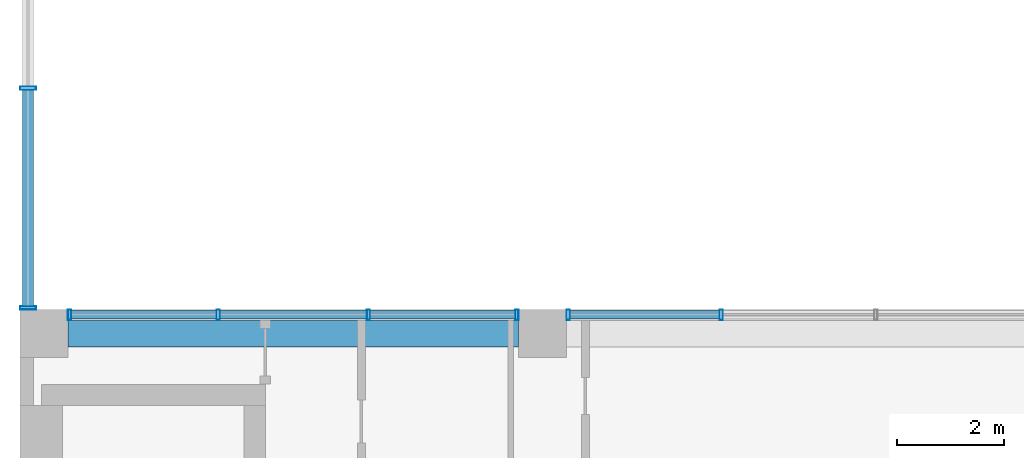
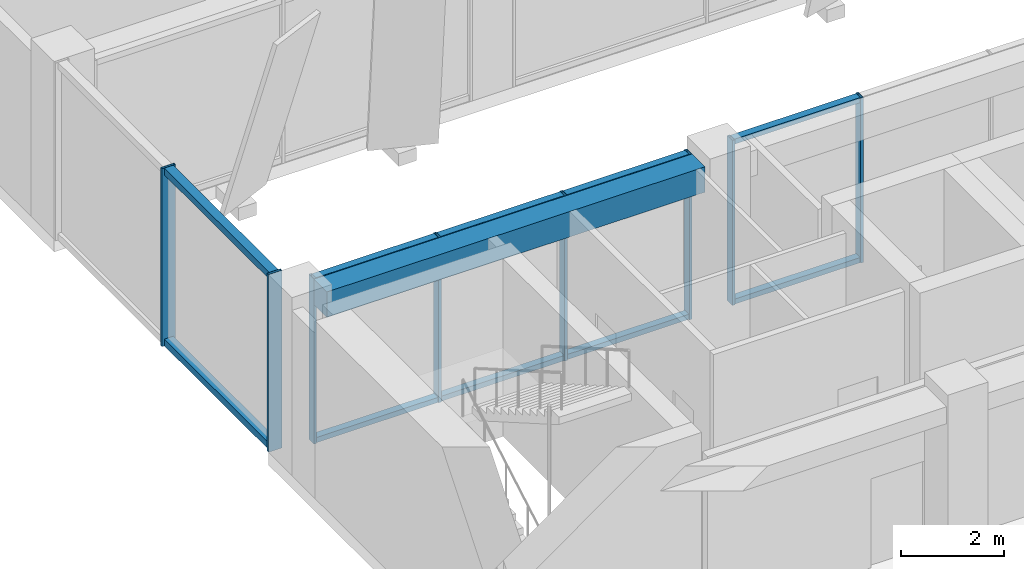
# One storey, part 6 of 36: 18 members, 1 beam, 3 elements without a shape of their own.
"""IFC4 building model written with IfcOpenShell, lengths in metres."""

from ifc_helpers import new_model, si_unit, direction, frame, origin, origin_2d, place, context, subcontext, project, spatial, rectangle, hollow_rectangle, extrude, material, layer, layer_set, material_profile, profile_set, type_object, element, aggregate, save


model = new_model("IFC4")

# Units and contexts
model_context = context("Model", 3, precision=1e-05, world=origin(), true_north=direction((0.0, 1.0)))
body_context = subcontext(model_context, "Body", "Model", "MODEL_VIEW")
ifc_project = project(units=[si_unit("LENGTHUNIT", "METRE"), si_unit("AREAUNIT", "SQUARE_METRE"), si_unit("VOLUMEUNIT", "CUBIC_METRE"), si_unit("PLANEANGLEUNIT", "RADIAN"), si_unit("MASSUNIT", "GRAM", prefix="KILO")], contexts=[model_context])

# Site, building, storey
site_placement = place(None, origin())
site = spatial("IfcSite", under=ifc_project, at=site_placement, CompositionType="ELEMENT")
building_placement = place(site_placement, origin())
building = spatial("IfcBuilding", under=site, at=building_placement, Name="Nzadi Deep Aquarium and Research Tower", CompositionType="ELEMENT")
storey_placement = place(building_placement, frame((0.0, 0.0, 40.300048828125)))
storey = spatial("IfcBuildingStorey", under=building, at=storey_placement, Name="L07", CompositionType="ELEMENT", Elevation=40.300048828125)

# Curtain wall, members
ifc_material_1 = material(Name="Aluminium unitised frame", Category="aluminium")
ifc_layer_1 = layer(ifc_material_1, 0.199951171875)
ifc_layer_set_1 = layer_set([ifc_layer_1], Name="Aluminium unitised frame")
curtain_wall_type_1 = type_object("IfcCurtainWallType", Name="Curtain wall Unitised 200", PredefinedType="NOTDEFINED", material=ifc_layer_set_1)
curtain_wall_1_placement = place(storey_placement, origin())
curtain_wall_1 = element("IfcCurtainWall", 1, at=curtain_wall_1_placement, inside=storey, type_object=curtain_wall_type_1, Name="Unitised curtain wall blade A north L07", PredefinedType="NOTDEFINED")
ifc_material_2 = material(Name="Aluminium unitised frame", Category="aluminium")
ifc_material_profile_1 = material_profile(ifc_material_2, hollow_rectangle(XDim=0.199951171875, YDim=0.06005859375, WallThickness=0.0048828125, at=origin_2d()))
ifc_profile_set_1 = profile_set([ifc_material_profile_1], Name="Aluminium unitised frame")
member_type_1 = type_object("IfcMemberType", Name="Mullion 60x200 Unitised", PredefinedType="MULLION", material=ifc_profile_set_1)
member_1_placement = place(storey_placement, frame((0.72998046875, 18.75, 0.0), z_axis=(0.0, 0.0, 1.0), x_axis=(0.0, 1.0, 0.0)))
member_1 = element("IfcMember", 2, at=member_1_placement, type_object=member_type_1, Name="CW016 mullion 1", PredefinedType="MULLION", context=body_context, shape_type="SweptSolid", body=[
    extrude(hollow_rectangle(XDim=0.199951171875, YDim=0.06005859375, WallThickness=0.0048828125, at=origin_2d()), origin(), (0.0, 0.0, 1.0), 3.89990234375),
])
member_2_placement = place(storey_placement, frame((3.5166015625, 18.75, 0.0), z_axis=(0.0, 0.0, 1.0), x_axis=(0.0, 1.0, 0.0)))
member_2 = element("IfcMember", 3, at=member_2_placement, type_object=member_type_1, Name="CW016 mullion 2", PredefinedType="MULLION", context=body_context, shape_type="SweptSolid", body=[
    extrude(hollow_rectangle(XDim=0.199951171875, YDim=0.06005859375, WallThickness=0.0048828125, at=origin_2d()), origin(), (0.0, 0.0, 1.0), 3.89990234375),
])
member_3_placement = place(storey_placement, frame((6.333251953125, 18.75, 0.0), z_axis=(0.0, 0.0, 1.0), x_axis=(0.0, 1.0, 0.0)))
member_3 = element("IfcMember", 4, at=member_3_placement, type_object=member_type_1, Name="CW016 mullion 3", PredefinedType="MULLION", context=body_context, shape_type="SweptSolid", body=[
    extrude(hollow_rectangle(XDim=0.199951171875, YDim=0.06005859375, WallThickness=0.0048828125, at=origin_2d()), origin(), (0.0, 0.0, 1.0), 3.89990234375),
])
member_4_placement = place(storey_placement, frame((9.1201171875, 18.75, 0.0), z_axis=(0.0, 0.0, 1.0), x_axis=(0.0, 1.0, 0.0)))
member_4 = element("IfcMember", 5, at=member_4_placement, type_object=member_type_1, Name="CW016 mullion 4", PredefinedType="MULLION", context=body_context, shape_type="SweptSolid", body=[
    extrude(hollow_rectangle(XDim=0.199951171875, YDim=0.06005859375, WallThickness=0.0048828125, at=origin_2d()), origin(), (0.0, 0.0, 1.0), 3.89990234375),
])

curtain_wall_2_placement = place(storey_placement, origin())
curtain_wall_2 = element("IfcCurtainWall", 6, at=curtain_wall_2_placement, inside=storey, type_object=curtain_wall_type_1, Name="Unitised curtain wall blade A north L07", PredefinedType="NOTDEFINED")
member_5_placement = place(storey_placement, frame((10.080078125, 18.75, 0.0), z_axis=(0.0, 0.0, 1.0), x_axis=(0.0, 1.0, 0.0)))
member_5 = element("IfcMember", 7, at=member_5_placement, type_object=member_type_1, Name="CW017 mullion 1", PredefinedType="MULLION", context=body_context, shape_type="SweptSolid", body=[
    extrude(hollow_rectangle(XDim=0.199951171875, YDim=0.06005859375, WallThickness=0.0048828125, at=origin_2d()), origin(), (0.0, 0.0, 1.0), 3.89990234375),
])
member_6_placement = place(storey_placement, frame((12.949951171875, 18.75, 0.0), z_axis=(0.0, 0.0, 1.0), x_axis=(0.0, 1.0, 0.0)))
member_6 = element("IfcMember", 8, at=member_6_placement, type_object=member_type_1, Name="CW017 mullion 2", PredefinedType="MULLION", context=body_context, shape_type="SweptSolid", body=[
    extrude(hollow_rectangle(XDim=0.199951171875, YDim=0.06005859375, WallThickness=0.0048828125, at=origin_2d()), origin(), (0.0, 0.0, 1.0), 3.89990234375),
])

ifc_material_3 = material(Name="Aluminium unitised frame wind post", Category="aluminium")
ifc_layer_2 = layer(ifc_material_3, 0.300048828125)
ifc_layer_set_2 = layer_set([ifc_layer_2], Name="Aluminium unitised frame wind post")
curtain_wall_type_2 = type_object("IfcCurtainWallType", Name="Curtain wall Slot End 300", PredefinedType="NOTDEFINED", material=ifc_layer_set_2)
curtain_wall_3_placement = place(storey_placement, origin())
curtain_wall_3 = element("IfcCurtainWall", 9, at=curtain_wall_3_placement, inside=storey, type_object=curtain_wall_type_2, Name="Glazed slot end west L07", PredefinedType="NOTDEFINED")
ifc_material_4 = material(Name="Aluminium unitised frame wind post", Category="aluminium")
ifc_material_profile_2 = material_profile(ifc_material_4, hollow_rectangle(XDim=0.300048828125, YDim=0.06005859375, WallThickness=0.0048828125, at=origin_2d()))
ifc_profile_set_2 = profile_set([ifc_material_profile_2], Name="Aluminium unitised frame wind post")
member_type_2 = type_object("IfcMemberType", Name="Mullion 60x300 Slot End", PredefinedType="MULLION", material=ifc_profile_set_2)
member_7_placement = place(storey_placement, frame((-0.049560546875, 18.8798828125, 0.0), z_axis=(0.0, 0.0, 1.0), x_axis=(-1.0, 0.0, 0.0)))
member_7 = element("IfcMember", 10, at=member_7_placement, type_object=member_type_2, Name="CW205 mullion 1", PredefinedType="MULLION", context=body_context, shape_type="SweptSolid", body=[
    extrude(hollow_rectangle(XDim=0.300048828125, YDim=0.06005859375, WallThickness=0.0048828125, at=origin_2d()), origin(), (0.0, 0.0, 1.0), 4.199951171875),
])
member_8_placement = place(storey_placement, frame((-0.049560546875, 23.0, 0.0), z_axis=(0.0, 0.0, 1.0), x_axis=(-1.0, 0.0, 0.0)))
member_8 = element("IfcMember", 11, at=member_8_placement, type_object=member_type_2, Name="CW205 mullion 2", PredefinedType="MULLION", context=body_context, shape_type="SweptSolid", body=[
    extrude(hollow_rectangle(XDim=0.300048828125, YDim=0.06005859375, WallThickness=0.0048828125, at=origin_2d()), origin(), (0.0, 0.0, 1.0), 4.199951171875),
])

# Beam
ifc_material_5 = material(Name="Concrete C35/45", Category="concrete")
ifc_material_profile_3 = material_profile(ifc_material_5, rectangle(XDim=0.5, YDim=0.60009765625, at=origin_2d()))
ifc_profile_set_3 = profile_set([ifc_material_profile_3], Name="Concrete C35/45")
beam_type = type_object("IfcBeamType", Name="RC 500x600", PredefinedType="BEAM", material=ifc_profile_set_3)
beam_placement = place(storey_placement, frame((0.699951171875, 18.39990234375, 3.599853515625), z_axis=(1.0, 0.0, 0.0), x_axis=(0.0, 1.0, 0.0)))
element("IfcBeam", 12, at=beam_placement, inside=storey, type_object=beam_type, Name="B-Z1-L07-L3-1", PredefinedType="BEAM", context=body_context, shape_type="SweptSolid", body=[
    extrude(rectangle(XDim=0.5, YDim=0.60009765625, at=origin_2d()), origin(), (0.0, 0.0, 1.0), 8.449951171875),
])

# Member
ifc_material_6 = material(Name="Aluminium unitised frame", Category="aluminium")
ifc_material_profile_4 = material_profile(ifc_material_6, hollow_rectangle(XDim=0.159912109375, YDim=0.1201171875, WallThickness=0.0048828125, at=origin_2d()))
ifc_profile_set_4 = profile_set([ifc_material_profile_4], Name="Aluminium unitised frame")
member_type_3 = type_object("IfcMemberType", Name="Transom 120x160 Unitised", PredefinedType="MULLION", material=ifc_profile_set_4)
member_9_placement = place(storey_placement, frame((0.760009765625, 18.75, 0.06005859375), z_axis=(1.0, 0.0, 0.0), x_axis=(0.0, 1.0, 0.0)))
member_9 = element("IfcMember", 13, at=member_9_placement, type_object=member_type_3, Name="CW016 transom 1.1", PredefinedType="MULLION", context=body_context, shape_type="SweptSolid", body=[
    extrude(hollow_rectangle(XDim=0.159912109375, YDim=0.1201171875, WallThickness=0.0048828125, at=origin_2d()), origin(), (0.0, 0.0, 1.0), 2.7265625),
])

member_10_placement = place(storey_placement, frame((0.760009765625, 18.75, 3.83984375), z_axis=(1.0, 0.0, 0.0), x_axis=(0.0, 1.0, 0.0)))
member_10 = element("IfcMember", 14, at=member_10_placement, type_object=member_type_3, Name="CW016 transom 1.2", PredefinedType="MULLION", context=body_context, shape_type="SweptSolid", body=[
    extrude(hollow_rectangle(XDim=0.159912109375, YDim=0.1201171875, WallThickness=0.0048828125, at=origin_2d()), origin(), (0.0, 0.0, 1.0), 2.7265625),
])

member_11_placement = place(storey_placement, frame((3.546630859375, 18.75, 0.06005859375), z_axis=(1.0, 0.0, 0.0), x_axis=(0.0, 1.0, 0.0)))
member_11 = element("IfcMember", 15, at=member_11_placement, type_object=member_type_3, Name="CW016 transom 2.1", PredefinedType="MULLION", context=body_context, shape_type="SweptSolid", body=[
    extrude(hollow_rectangle(XDim=0.159912109375, YDim=0.1201171875, WallThickness=0.0048828125, at=origin_2d()), origin(), (0.0, 0.0, 1.0), 2.756591796875),
])

member_12_placement = place(storey_placement, frame((3.546630859375, 18.75, 3.83984375), z_axis=(1.0, 0.0, 0.0), x_axis=(0.0, 1.0, 0.0)))
member_12 = element("IfcMember", 16, at=member_12_placement, type_object=member_type_3, Name="CW016 transom 2.2", PredefinedType="MULLION", context=body_context, shape_type="SweptSolid", body=[
    extrude(hollow_rectangle(XDim=0.159912109375, YDim=0.1201171875, WallThickness=0.0048828125, at=origin_2d()), origin(), (0.0, 0.0, 1.0), 2.756591796875),
])

member_13_placement = place(storey_placement, frame((6.36328125, 18.75, 0.06005859375), z_axis=(1.0, 0.0, 0.0), x_axis=(0.0, 1.0, 0.0)))
member_13 = element("IfcMember", 17, at=member_13_placement, type_object=member_type_3, Name="CW016 transom 3.1", PredefinedType="MULLION", context=body_context, shape_type="SweptSolid", body=[
    extrude(hollow_rectangle(XDim=0.159912109375, YDim=0.1201171875, WallThickness=0.0048828125, at=origin_2d()), origin(), (0.0, 0.0, 1.0), 2.726806640625),
])

member_14_placement = place(storey_placement, frame((6.36328125, 18.75, 3.83984375), z_axis=(1.0, 0.0, 0.0), x_axis=(0.0, 1.0, 0.0)))
member_14 = element("IfcMember", 18, at=member_14_placement, type_object=member_type_3, Name="CW016 transom 3.2", PredefinedType="MULLION", context=body_context, shape_type="SweptSolid", body=[
    extrude(hollow_rectangle(XDim=0.159912109375, YDim=0.1201171875, WallThickness=0.0048828125, at=origin_2d()), origin(), (0.0, 0.0, 1.0), 2.726806640625),
])

aggregate(curtain_wall_1, [member_1, member_2, member_3, member_4, member_9, member_10, member_11, member_12, member_13, member_14])

member_15_placement = place(storey_placement, frame((10.110107421875, 18.75, 0.06005859375), z_axis=(1.0, 0.0, 0.0), x_axis=(0.0, 1.0, 0.0)))
member_15 = element("IfcMember", 19, at=member_15_placement, type_object=member_type_3, Name="CW017 transom 1.1", PredefinedType="MULLION", context=body_context, shape_type="SweptSolid", body=[
    extrude(hollow_rectangle(XDim=0.159912109375, YDim=0.1201171875, WallThickness=0.0048828125, at=origin_2d()), origin(), (0.0, 0.0, 1.0), 2.809814453125),
])

member_16_placement = place(storey_placement, frame((10.110107421875, 18.75, 3.83984375), z_axis=(1.0, 0.0, 0.0), x_axis=(0.0, 1.0, 0.0)))
member_16 = element("IfcMember", 20, at=member_16_placement, type_object=member_type_3, Name="CW017 transom 1.2", PredefinedType="MULLION", context=body_context, shape_type="SweptSolid", body=[
    extrude(hollow_rectangle(XDim=0.159912109375, YDim=0.1201171875, WallThickness=0.0048828125, at=origin_2d()), origin(), (0.0, 0.0, 1.0), 2.809814453125),
])

aggregate(curtain_wall_2, [member_5, member_6, member_15, member_16])

ifc_material_7 = material(Name="Aluminium unitised frame wind post", Category="aluminium")
ifc_material_profile_5 = material_profile(ifc_material_7, hollow_rectangle(XDim=0.199951171875, YDim=0.159912109375, WallThickness=0.0048828125, at=origin_2d()))
ifc_profile_set_5 = profile_set([ifc_material_profile_5], Name="Aluminium unitised frame wind post")
member_type_4 = type_object("IfcMemberType", Name="Transom 160x200 Slot End", PredefinedType="MULLION", material=ifc_profile_set_5)
member_17_placement = place(storey_placement, frame((-0.050048828125, 18.909912109375, 0.079833984375), z_axis=(0.0, 1.0, 0.0), x_axis=(-1.0, 0.0, 0.0)))
member_17 = element("IfcMember", 21, at=member_17_placement, type_object=member_type_4, Name="CW205 transom 1.1", PredefinedType="MULLION", context=body_context, shape_type="SweptSolid", body=[
    extrude(hollow_rectangle(XDim=0.199951171875, YDim=0.159912109375, WallThickness=0.0048828125, at=origin_2d()), origin(), (0.0, 0.0, 1.0), 4.06005859375),
])

member_18_placement = place(storey_placement, frame((-0.050048828125, 18.909912109375, 4.119873046875), z_axis=(0.0, 1.0, 0.0), x_axis=(-1.0, 0.0, 0.0)))
member_18 = element("IfcMember", 22, at=member_18_placement, type_object=member_type_4, Name="CW205 transom 1.2", PredefinedType="MULLION", context=body_context, shape_type="SweptSolid", body=[
    extrude(hollow_rectangle(XDim=0.199951171875, YDim=0.159912109375, WallThickness=0.0048828125, at=origin_2d()), origin(), (0.0, 0.0, 1.0), 4.06005859375),
])

aggregate(curtain_wall_3, [member_7, member_8, member_17, member_18])

save(model, "model.ifc")
